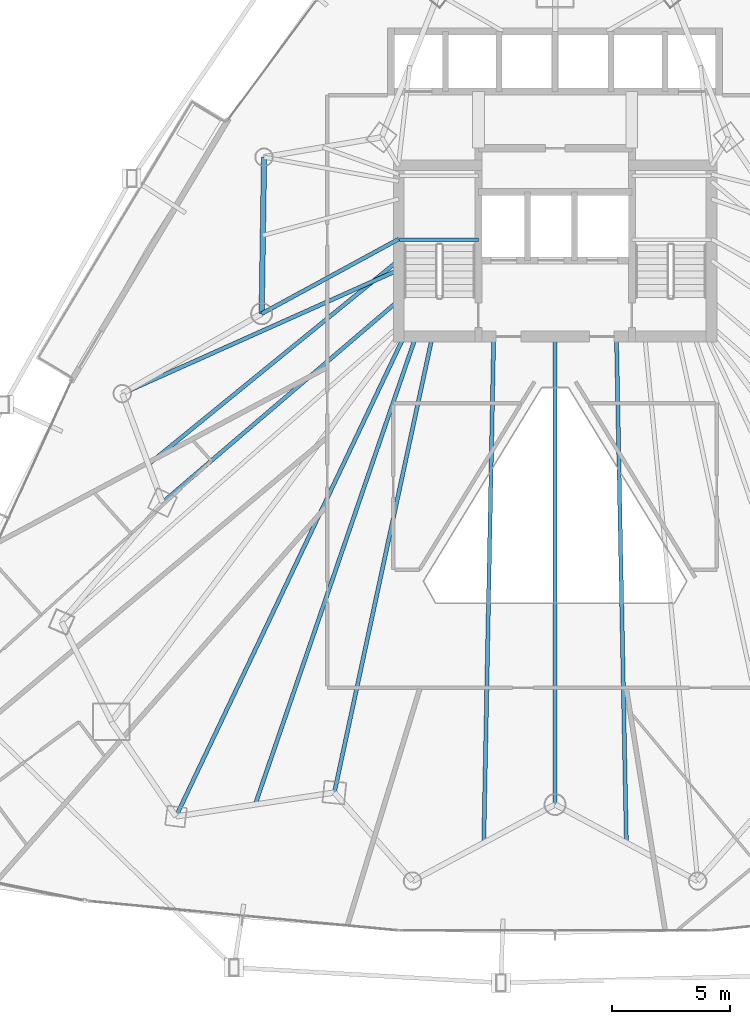
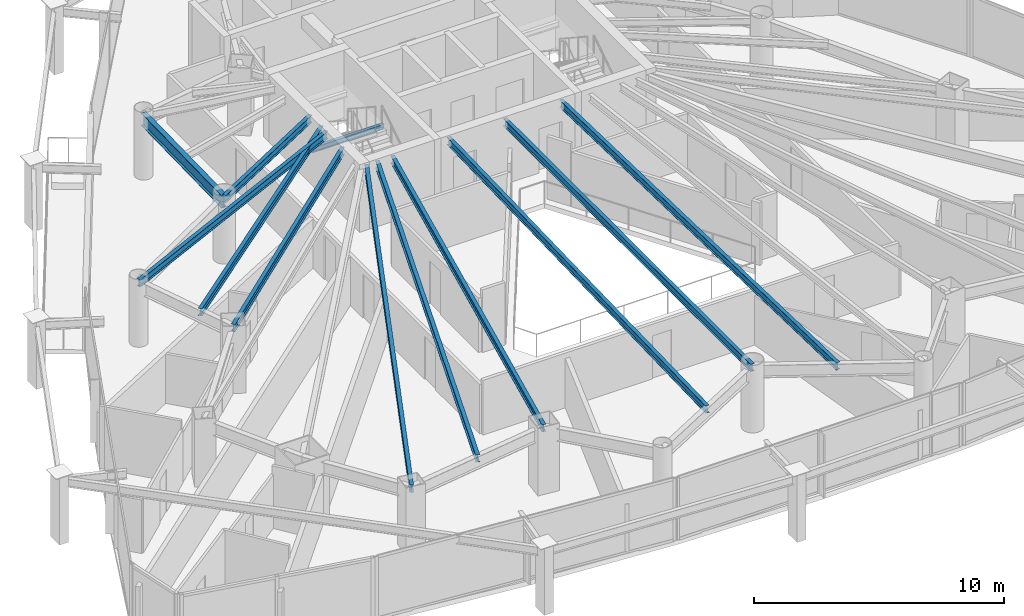
# One storey, part 12 of 38: 12 beams.
"""IFC4 building model written with IfcOpenShell, lengths in metres."""

import ifcopenshell
import ifcopenshell.guid

model = None  # the IFC model being written
_history = None  # IfcOwnerHistory: only IFC2X3 demands one
_inside = {}  # id of a spatial element -> (the spatial element, [elements in it])
_under = {}  # id of a project, library or spatial element -> (it, [spatial elements below it])
_declared = {}  # id of a project -> (the project, [libraries it declares])
_typed = {}  # id of a type object -> (the type object, [elements of that type])
_made_of = {}  # id of a material, layer set ... -> (it, [elements and type objects made of it])


def new_model(schema):
    """Start an empty IFC model of exactly this schema.

    Asked for "IFC4X3", IfcOpenShell would pick the latest addendum, in which some entities
    have other attributes; the version numbers below select the first issue.
    IFC2X3 requires an IfcOwnerHistory on every rooted entity: one is made here for all.
    """
    global model, _history
    if schema == "IFC4X3":
        model = ifcopenshell.file(schema_version=(4, 3, 0, 0))
    else:
        model = ifcopenshell.file(schema=schema)
    _inside.clear()
    _under.clear()
    _declared.clear()
    _typed.clear()
    _made_of.clear()
    _history = None
    if model.schema == "IFC2X3":
        org = make("IfcOrganization", Name="unknown")
        user = make(
            "IfcPersonAndOrganization",
            ThePerson=make("IfcPerson", FamilyName="unknown"),
            TheOrganization=org,
        )
        app = make(
            "IfcApplication",
            ApplicationDeveloper=org,
            Version="unknown",
            ApplicationFullName="unknown",
            ApplicationIdentifier="unknown",
        )
        _history = make(
            "IfcOwnerHistory",
            OwningUser=user,
            OwningApplication=app,
            ChangeAction="ADDED",
            CreationDate=0,
        )
    return model


def make(cls, **values):
    """One entity of the class cls with the attributes given. An attribute that is None is left unset."""
    return model.create_entity(
        cls, **{name: value for name, value in values.items() if value is not None}
    )


def rooted(cls, **values):
    """An entity with a GlobalId (a new one), such as an element, a storey or a relation."""
    return make(cls, GlobalId=ifcopenshell.guid.new(), OwnerHistory=_history, **values)


def si_unit(unit_type, name, prefix=None):
    """IfcSIUnit, for example si_unit("LENGTHUNIT", "METRE", prefix="MILLI")."""
    return make("IfcSIUnit", UnitType=unit_type, Prefix=prefix, Name=name)


def assignment(units):
    """IfcUnitAssignment: the units of a project."""
    return None if units is None else make("IfcUnitAssignment", Units=units)


def point(xyz):
    """IfcCartesianPoint."""
    return None if xyz is None else make("IfcCartesianPoint", Coordinates=xyz)


def direction(xyz):
    """IfcDirection."""
    return None if xyz is None else make("IfcDirection", DirectionRatios=xyz)


def frame(location, z_axis=None, x_axis=None):
    """IfcAxis2Placement3D, a coordinate frame: its origin and axes. An axis left out is left unset."""
    return make(
        "IfcAxis2Placement3D",
        Location=point(location),
        Axis=direction(z_axis),
        RefDirection=direction(x_axis),
    )


def frame_2d(location, x_axis=None):
    """IfcAxis2Placement2D, a coordinate frame in the plane: its origin and x axis."""
    return make(
        "IfcAxis2Placement2D", Location=point(location), RefDirection=direction(x_axis)
    )


def origin():
    """The frame at (0, 0, 0) with its axes left unset."""
    return frame((0.0, 0.0, 0.0))


def origin_2d():
    """The frame at (0, 0) in the plane with its x axis left unset."""
    return frame_2d((0.0, 0.0))


def place(relative_to, where):
    """IfcLocalPlacement: puts the frame where relative to a parent placement (None: the world)."""
    return make(
        "IfcLocalPlacement", PlacementRelTo=relative_to, RelativePlacement=where
    )


def context(
    kind, dimensions, precision=None, world=None, true_north=None, identifier=None
):
    """IfcGeometricRepresentationContext, for example the 3D "Model" context."""
    return make(
        "IfcGeometricRepresentationContext",
        ContextIdentifier=identifier,
        ContextType=kind,
        CoordinateSpaceDimension=dimensions,
        Precision=precision,
        WorldCoordinateSystem=world,
        TrueNorth=true_north,
    )


def subcontext(parent, identifier, kind, view, scale=None):
    """IfcGeometricRepresentationSubContext, for example "Body" below "Model"."""
    return make(
        "IfcGeometricRepresentationSubContext",
        ContextIdentifier=identifier,
        ContextType=kind,
        ParentContext=parent,
        TargetScale=scale,
        TargetView=view,
    )


def project(units=None, contexts=None):
    """IfcProject with its units and contexts."""
    return rooted(
        "IfcProject",
        Name="project",
        RepresentationContexts=contexts,
        UnitsInContext=assignment(units),
    )


def spatial(cls, under=None, at=None, **own):
    """A site, building, storey or space (cls), placed at a placement, below another one or the project."""
    s = rooted(cls, ObjectPlacement=at, **own)
    if under is not None:
        _under.setdefault(under.id(), (under, []))[1].append(s)
    return s


def profile(cls, at=None, kind="AREA", **sizes):
    """A parametric profile (cls). Its sizes go by their IFC names, for example OverallWidth=200.0."""
    return make(cls, ProfileType=kind, Position=at, **sizes)


def i_section(**sizes):
    """IfcIShapeProfileDef."""
    return profile("IfcIShapeProfileDef", **sizes)


def extrude(swept, where, along, depth):
    """IfcExtrudedAreaSolid: the profile swept, set in the frame where, extruded along a direction by depth."""
    return make(
        "IfcExtrudedAreaSolid",
        SweptArea=swept,
        Position=where,
        ExtrudedDirection=direction(along),
        Depth=depth,
    )


def shape(context_of_items, identifier, shape_type, items):
    """IfcShapeRepresentation: the items that make up one representation, for example the "Body"."""
    return make(
        "IfcShapeRepresentation",
        ContextOfItems=context_of_items,
        RepresentationIdentifier=identifier,
        RepresentationType=shape_type,
        Items=items,
    )


def material(Name=None, Category=None):
    """IfcMaterial."""
    return make("IfcMaterial", Name=Name, Category=Category)


def material_profile(
    of_material, cross_section, Name=None, Category=None, Priority=None
):
    """IfcMaterialProfile: a cross section and its material."""
    return make(
        "IfcMaterialProfile",
        Name=Name,
        Material=of_material,
        Profile=cross_section,
        Priority=Priority,
        Category=Category,
    )


def profile_set(profiles, Name=None, composite=None):
    """IfcMaterialProfileSet."""
    return make(
        "IfcMaterialProfileSet",
        Name=Name,
        MaterialProfiles=profiles,
        CompositeProfile=composite,
    )


def made_of(thing, what):
    """Note that an element or type object is made of a material, layer set ...; save() writes the relation."""
    if what is not None:
        _made_of.setdefault(what.id(), (what, []))[1].append(thing)
    return thing


def type_object(cls, material=None, **own):
    """A type object (cls), such as IfcWallType, which elements share."""
    return made_of(rooted(cls, **own), material)


def element(
    cls,
    number,
    at=None,
    inside=None,
    cuts=None,
    type_object=None,
    material=None,
    context=None,
    identifier="Body",
    shape_type=None,
    held_by="IfcProductDefinitionShape",
    body=None,
    shapes=None,
    **own,
):
    """One element of the class cls, such as IfcWall. Its Tag is "e" and its number.

    at: its placement. inside: the storey or other place that contains it. cuts: it is an
    opening in that element (IfcRelVoidsElement). A single representation is given by context,
    identifier, shape_type and body (its items); several are given by shapes. held_by: the class
    of the entity that holds the representations. save() writes the other relations.
    """
    e = rooted(cls, Tag="e%d" % number, ObjectPlacement=at, **own)
    if body is not None:
        shapes = [shape(context, identifier, shape_type, body)]
    if shapes is not None:
        e.Representation = make(held_by, Representations=shapes)
    if inside is not None:
        _inside.setdefault(inside.id(), (inside, []))[1].append(e)
    if cuts is not None:
        rooted(
            "IfcRelVoidsElement", RelatingBuildingElement=cuts, RelatedOpeningElement=e
        )
    if type_object is not None:
        _typed.setdefault(type_object.id(), (type_object, []))[1].append(e)
    return made_of(e, material)


def aggregate(whole, parts):
    """IfcRelAggregates: a whole, such as a stair, and the parts it consists of."""
    return rooted("IfcRelAggregates", RelatingObject=whole, RelatedObjects=parts)


def save(model, path):
    """Write the relations noted so far, then the file.

    IfcRelAggregates (storeys below a building ...), IfcRelContainedInSpatialStructure (elements
    in a storey), IfcRelDefinesByType, IfcRelAssociatesMaterial and IfcRelDeclares: one each for
    every whole, place, type object, material and project.
    """
    for whole, parts in _under.values():
        aggregate(whole, parts)
    for where, things in _inside.values():
        rooted(
            "IfcRelContainedInSpatialStructure",
            RelatedElements=things,
            RelatingStructure=where,
        )
    for kind, things in _typed.values():
        rooted("IfcRelDefinesByType", RelatedObjects=things, RelatingType=kind)
    for what, things in _made_of.values():
        rooted("IfcRelAssociatesMaterial", RelatedObjects=things, RelatingMaterial=what)
    for by, libraries in _declared.values():
        rooted("IfcRelDeclares", RelatingContext=by, RelatedDefinitions=libraries)
    model.write(path)


model = new_model("IFC4")

# Units and contexts
model_context = context("Model", 3, precision=1e-05, world=origin(), true_north=direction((0.0, 1.0)))
body_context = subcontext(model_context, "Body", "Model", "MODEL_VIEW")
ifc_project = project(units=[si_unit("LENGTHUNIT", "METRE"), si_unit("AREAUNIT", "SQUARE_METRE"), si_unit("VOLUMEUNIT", "CUBIC_METRE"), si_unit("PLANEANGLEUNIT", "RADIAN"), si_unit("MASSUNIT", "GRAM", prefix="KILO")], contexts=[model_context])

# Site, building, storey
site_placement = place(None, origin())
site = spatial("IfcSite", under=ifc_project, at=site_placement, CompositionType="ELEMENT")
building_placement = place(site_placement, origin())
building = spatial("IfcBuilding", under=site, at=building_placement, Name="Orvanel Arch Residences", CompositionType="ELEMENT")
storey_placement = place(building_placement, frame((0.0, 0.0, 50.0)))
storey = spatial("IfcBuildingStorey", under=building, at=storey_placement, Name="L13", CompositionType="ELEMENT", Elevation=50.0)

# Beams
ifc_material = material(Name="Structural steel AS/NZS 3679.1 Grade 300 (300 MPa)", Category="steel")
ifc_material_profile_1 = material_profile(ifc_material, i_section(OverallWidth=0.14599609375, OverallDepth=0.251953125, WebThickness=0.006103515625, FlangeThickness=0.008544921875, at=origin_2d()), Name="250UB31.4")
ifc_profile_set_1 = profile_set([ifc_material_profile_1], Name="Structural steel AS/NZS 3679.1 Grade 300 (300 MPa)")
beam_type_1 = type_object("IfcBeamType", Name="BJ-250UB", PredefinedType="JOIST", material=ifc_profile_set_1)
beam_1_placement = place(storey_placement, frame((26.39990234375, 30.780029296875, 1.323974609375), z_axis=(1.0, 0.0, 0.0), x_axis=(0.0, 1.0, 0.0)))
element("IfcBeam", 1, at=beam_1_placement, inside=storey, type_object=beam_type_1, Name="L13 ST-1 Half-Landing Support Beam 1.1", PredefinedType="JOIST", context=body_context, shape_type="SweptSolid", body=[
    extrude(i_section(OverallWidth=0.14599609375, OverallDepth=0.251953125, WebThickness=0.006103515625, FlangeThickness=0.008544921875, at=origin_2d()), origin(), (0.0, 0.0, 1.0), 3.35009765625),
])
ifc_material_profile_2 = material_profile(ifc_material, i_section(OverallWidth=0.1708984375, OverallDepth=0.35595703125, WebThickness=0.00732421875, FlangeThickness=0.011474609375, at=origin_2d()), Name="360UB50.7")
ifc_profile_set_2 = profile_set([ifc_material_profile_2], Name="Structural steel AS/NZS 3679.1 Grade 300 (300 MPa)")
beam_type_2 = type_object("IfcBeamType", Name="BJ-360UB", PredefinedType="JOIST", material=ifc_profile_set_2)
beam_2_placement = place(storey_placement, frame((26.375, 30.800048828125, 2.882080078125), z_axis=(-0.878399029914, -0.477927969726, 0.0), x_axis=(0.477927969726, -0.878399029914, 0.0)))
element("IfcBeam", 2, at=beam_2_placement, inside=storey, type_object=beam_type_2, Name="L13 NW Wing Floor Joist", PredefinedType="JOIST", context=body_context, shape_type="SweptSolid", body=[
    extrude(i_section(OverallWidth=0.1708984375, OverallDepth=0.35595703125, WebThickness=0.00732421875, FlangeThickness=0.011474609375, at=origin_2d()), origin(), (0.0, 0.0, 1.0), 6.609619140625),
])
beam_3_placement = place(storey_placement, frame((26.375, 28.199951171875, 2.882080078125), z_axis=(-0.760024297953, -0.649894658018, 0.0), x_axis=(0.649894658018, -0.760024297953, 0.0)))
element("IfcBeam", 3, at=beam_3_placement, inside=storey, type_object=beam_type_2, Name="L13 W Wing Floor Joist", PredefinedType="JOIST", context=body_context, shape_type="SweptSolid", body=[
    extrude(i_section(OverallWidth=0.1708984375, OverallDepth=0.35595703125, WebThickness=0.00732421875, FlangeThickness=0.011474609375, at=origin_2d()), origin(), (0.0, 0.0, 1.0), 13.16796875),
])
beam_4_placement = place(storey_placement, frame((27.800048828125, 26.675048828125, 2.882080078125), z_axis=(-0.210066515515, -0.977687096703, 0.0), x_axis=(0.977687096703, -0.210066515515, 0.0)))
element("IfcBeam", 4, at=beam_4_placement, inside=storey, type_object=beam_type_2, Name="L13 SW Wing Floor Joist", PredefinedType="JOIST", context=body_context, shape_type="SweptSolid", body=[
    extrude(i_section(OverallWidth=0.1708984375, OverallDepth=0.35595703125, WebThickness=0.00732421875, FlangeThickness=0.011474609375, at=origin_2d()), origin(), (0.0, 0.0, 1.0), 19.760986328125),
])
beam_5_placement = place(storey_placement, frame((33.0, 26.675048828125, 2.882080078125), z_axis=(0.0, -1.0, 0.0), x_axis=(1.0, 0.0, 0.0)))
element("IfcBeam", 5, at=beam_5_placement, inside=storey, type_object=beam_type_2, Name="L13 SSW Wing Floor Joist", PredefinedType="JOIST", context=body_context, shape_type="SweptSolid", body=[
    extrude(i_section(OverallWidth=0.1708984375, OverallDepth=0.35595703125, WebThickness=0.00732421875, FlangeThickness=0.011474609375, at=origin_2d()), origin(), (0.0, 0.0, 1.0), 19.8310546875),
])
for number, where, z_axis, x_axis, name in (
    (6, (30.39990234375, 26.675048828125, 2.882080078125), (-0.019617680075, -0.999807554797, 0.0), (0.999807554797, -0.019617680075, 0.0), "L13 WSW2 Wing Floor Joist"),
    (7, (35.60009765625, 26.675048828125, 2.882080078125), (0.019617680075, -0.999807554797, 0.0), (0.999807554797, 0.019617680075, 0.0), "L13 ESE2 Wing Floor Joist"),
):
    element("IfcBeam", number, at=place(storey_placement, frame(where, z_axis=z_axis, x_axis=x_axis)), inside=storey, type_object=beam_type_2, Name=name, PredefinedType="JOIST", context=body_context, shape_type="SweptSolid", body=[
        extrude(i_section(OverallWidth=0.1708984375, OverallDepth=0.35595703125, WebThickness=0.00732421875, FlangeThickness=0.011474609375, at=origin_2d()), origin(), (0.0, 0.0, 1.0), 21.455078125),
    ])
beam_6_placement = place(storey_placement, frame((26.60009765625, 26.675048828125, 2.882080078125), z_axis=(-0.429042657795, -0.903284228686, 0.0), x_axis=(0.903284228686, -0.429042657795, 0.0)))
element("IfcBeam", 8, at=beam_6_placement, inside=storey, type_object=beam_type_2, Name="L13 MSW Wing Floor Joist", PredefinedType="JOIST", context=body_context, shape_type="SweptSolid", body=[
    extrude(i_section(OverallWidth=0.1708984375, OverallDepth=0.35595703125, WebThickness=0.00732421875, FlangeThickness=0.011474609375, at=origin_2d()), origin(), (0.0, 0.0, 1.0), 22.513427734375),
])
beam_7_placement = place(storey_placement, frame((26.375, 29.5, 2.882080078125), z_axis=(-0.912704378681, -0.408620505038, 0.0), x_axis=(0.408620505038, -0.912704378681, 0.0)))
element("IfcBeam", 9, at=beam_7_placement, inside=storey, type_object=beam_type_2, Name="L13 LSW Wing Floor Joist", PredefinedType="JOIST", context=body_context, shape_type="SweptSolid", body=[
    extrude(i_section(OverallWidth=0.1708984375, OverallDepth=0.35595703125, WebThickness=0.00732421875, FlangeThickness=0.011474609375, at=origin_2d()), origin(), (0.0, 0.0, 1.0), 12.833251953125),
])
beam_8_placement = place(storey_placement, frame((26.375, 29.89990234375, 2.882080078125), z_axis=(-0.775173162495, -0.631748817291, 0.0), x_axis=(0.631748817291, -0.775173162495, 0.0)))
element("IfcBeam", 10, at=beam_8_placement, inside=storey, type_object=beam_type_2, Name="L13 CTW Wing Floor Joist", PredefinedType="JOIST", context=body_context, shape_type="SweptSolid", body=[
    extrude(i_section(OverallWidth=0.1708984375, OverallDepth=0.35595703125, WebThickness=0.00732421875, FlangeThickness=0.011474609375, at=origin_2d()), origin(), (0.0, 0.0, 1.0), 13.680908203125),
])
beam_9_placement = place(storey_placement, frame((27.10009765625, 26.675048828125, 2.882080078125), z_axis=(-0.324621456495, -0.945844019901, 0.0), x_axis=(0.945844019901, -0.324621456495, 0.0)))
element("IfcBeam", 11, at=beam_9_placement, inside=storey, type_object=beam_type_2, Name="L13 JADD1 Wing Floor Joist", PredefinedType="JOIST", context=body_context, shape_type="SweptSolid", body=[
    extrude(i_section(OverallWidth=0.1708984375, OverallDepth=0.35595703125, WebThickness=0.00732421875, FlangeThickness=0.011474609375, at=origin_2d()), origin(), (0.0, 0.0, 1.0), 20.96337890625),
])
ifc_material_profile_3 = material_profile(ifc_material, i_section(OverallWidth=0.22900390625, OverallDepth=0.612060546875, WebThickness=0.011962890625, FlangeThickness=0.01953125, at=origin_2d()), Name="610UB125")
ifc_profile_set_3 = profile_set([ifc_material_profile_3], Name="Structural steel AS/NZS 3679.1 Grade 300 (300 MPa)")
beam_type_3 = type_object("IfcBeamType", Name="SP-610UB", PredefinedType="SPANDREL", material=ifc_profile_set_3)
beam_10_placement = place(storey_placement, frame((20.669921875, 34.27099609375, 2.75390625), z_axis=(-0.015206666874, -0.999884371956, 0.0), x_axis=(0.999884371956, -0.015206666874, 0.0)))
element("IfcBeam", 12, at=beam_10_placement, inside=storey, type_object=beam_type_3, Name="L13 Perimeter Spandrel Beam 20", PredefinedType="SPANDREL", context=body_context, shape_type="SweptSolid", body=[
    extrude(i_section(OverallWidth=0.22900390625, OverallDepth=0.612060546875, WebThickness=0.011962890625, FlangeThickness=0.01953125, at=origin_2d()), origin(), (0.0, 0.0, 1.0), 6.630615234375),
])

save(model, "model.ifc")
